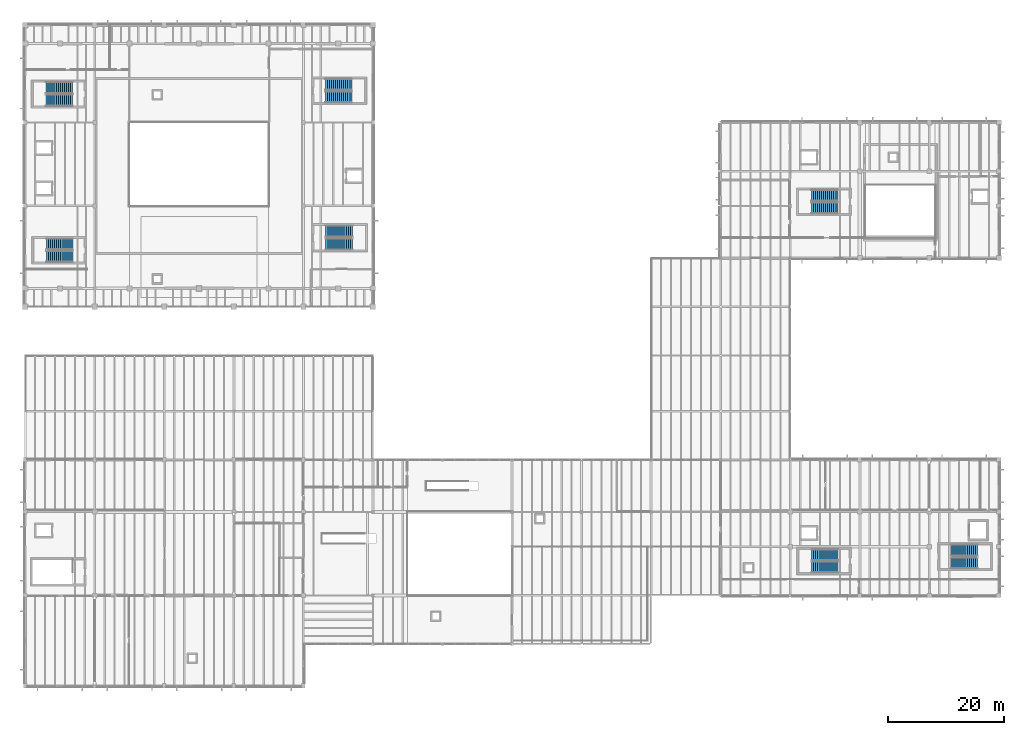
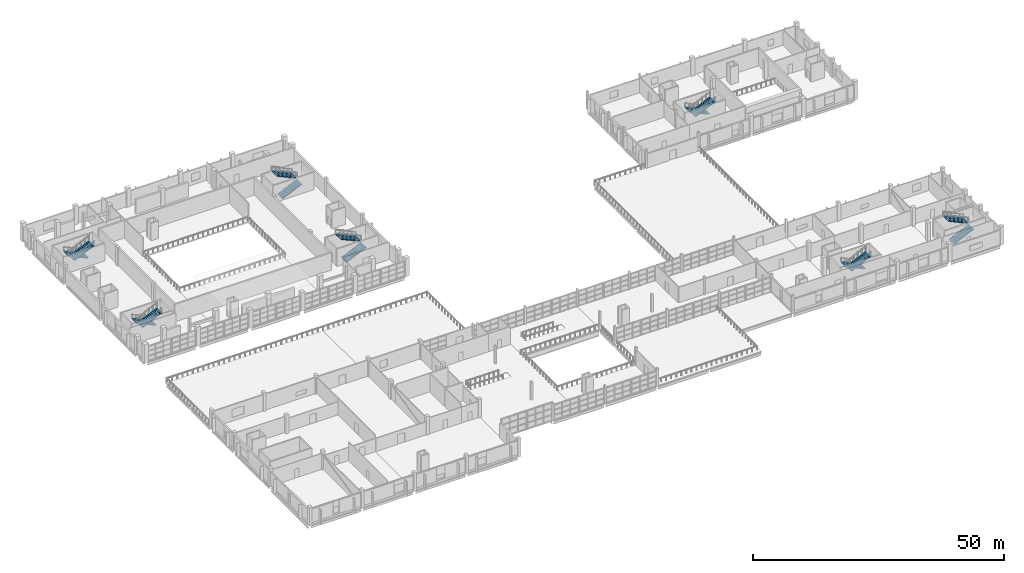
# One storey, part 64 of 78: 14 stair flights, 7 elements without a shape of their own.
"""IFC4 building model written with IfcOpenShell, lengths in metres."""

from ifc_helpers import new_model, si_unit, direction, frame, origin, place, context, subcontext, project, spatial, polyline, outline, extrude, material, type_object, element, aggregate, save


model = new_model("IFC4")

# Units and contexts
model_context = context("Model", 3, precision=1e-05, world=origin(), true_north=direction((0.0, 1.0)))
body_context = subcontext(model_context, "Body", "Model", "MODEL_VIEW")
ifc_project = project(units=[si_unit("LENGTHUNIT", "METRE"), si_unit("AREAUNIT", "SQUARE_METRE"), si_unit("VOLUMEUNIT", "CUBIC_METRE"), si_unit("PLANEANGLEUNIT", "RADIAN"), si_unit("MASSUNIT", "GRAM", prefix="KILO")], contexts=[model_context])

# Site, building, storey
site_placement = place(None, origin())
site = spatial("IfcSite", under=ifc_project, at=site_placement, CompositionType="ELEMENT")
building_placement = place(site_placement, origin())
building = spatial("IfcBuilding", under=site, at=building_placement, Name="Kelmvaro Bay Concert Hall", CompositionType="ELEMENT")
storey_placement = place(building_placement, frame((0.0, 0.0, 9.300048828125)))
storey = spatial("IfcBuildingStorey", under=building, at=storey_placement, Name="L02", CompositionType="ELEMENT", Elevation=9.300048828125)

# Stair, stair flights
ifc_material_1 = material(Name="Concrete C40/50", Category="concrete")
stair_type_1 = type_object("IfcStairType", Name="Core Dogleg Exit Stair 1980", PredefinedType="USERDEFINED", material=ifc_material_1)
stair_1_placement = place(storey_placement, origin())
stair_1 = element("IfcStair", 1, at=stair_1_placement, inside=storey, type_object=stair_type_1, Name="L02 Exit Stair ST-01", ObjectType="TWO_RETURN_STAIR", PredefinedType="USERDEFINED")
ifc_material_2 = material(Name="Precast Concrete C40/50", Category="concrete")
stair_flight_type_1 = type_object("IfcStairFlightType", Name="Precast Concrete Core Stair Flight 1980", PredefinedType="STRAIGHT", material=ifc_material_2)
stair_flight_1_placement = place(storey_placement, frame((8.219970703125, 76.2099609375, 0.0), z_axis=(0.0, 0.0, 1.0), x_axis=(-1.0, 0.0, 0.0)))
stair_flight_1 = element("IfcStairFlight", 2, at=stair_flight_1_placement, type_object=stair_flight_type_1, Name="ST-01 flight 1", NumberOfRisers=14, NumberOfTreads=13, PredefinedType="STRAIGHT", RiserHeight=0.160714286, TreadLength=0.348, context=body_context, shape_type="SweptSolid", body=[
    extrude(outline(polyline([(0.0, 0.0), (0.0, 0.16064453125), (0.347900390625, 0.16064453125), (0.347900390625, 0.321533203125), (0.696044921875, 0.321533203125), (0.696044921875, 0.482177734375), (1.0439453125, 0.482177734375), (1.0439453125, 0.642822265625), (1.39208984375, 0.642822265625), (1.39208984375, 0.803466796875), (1.739990234375, 0.803466796875), (1.739990234375, 0.96435546875), (2.087890625, 0.96435546875), (2.087890625, 1.125), (2.43603515625, 1.125), (2.43603515625, 1.28564453125), (2.783935546875, 1.28564453125), (2.783935546875, 1.446533203125), (3.132080078125, 1.446533203125), (3.132080078125, 1.607177734375), (3.47998046875, 1.607177734375), (3.47998046875, 1.767822265625), (3.827880859375, 1.767822265625), (3.827880859375, 1.928466796875), (4.176025390625, 1.928466796875), (4.176025390625, 2.08935546875), (4.52392578125, 2.08935546875), (4.52392578125, 2.25), (4.52392578125, 1.924072265625), (0.357421875, 0.0), (0.0, 0.0)])), frame((0.0, 0.989990234375, 0.0), z_axis=(0.0, -1.0, 0.0), x_axis=(1.0, 0.0, 0.0)), (0.0, 0.0, 1.0), 1.97998046875),
])
stair_flight_2_placement = place(storey_placement, frame((3.696044921875, 74.080078125, 2.25), z_axis=(0.0, 0.0, 1.0), x_axis=(1.0, 0.0, 0.0)))
stair_flight_2 = element("IfcStairFlight", 3, at=stair_flight_2_placement, type_object=stair_flight_type_1, Name="ST-01 flight 2", NumberOfRisers=14, NumberOfTreads=13, PredefinedType="STRAIGHT", RiserHeight=0.160714286, TreadLength=0.348, context=body_context, shape_type="SweptSolid", body=[
    extrude(outline(polyline([(0.0, 0.0), (0.0, 0.16064453125), (0.347900390625, 0.16064453125), (0.347900390625, 0.321533203125), (0.696044921875, 0.321533203125), (0.696044921875, 0.482177734375), (1.0439453125, 0.482177734375), (1.0439453125, 0.642822265625), (1.39208984375, 0.642822265625), (1.39208984375, 0.803466796875), (1.739990234375, 0.803466796875), (1.739990234375, 0.96435546875), (2.087890625, 0.96435546875), (2.087890625, 1.125), (2.43603515625, 1.125), (2.43603515625, 1.28564453125), (2.783935546875, 1.28564453125), (2.783935546875, 1.446533203125), (3.132080078125, 1.446533203125), (3.132080078125, 1.607177734375), (3.47998046875, 1.607177734375), (3.47998046875, 1.767822265625), (3.827880859375, 1.767822265625), (3.827880859375, 1.928466796875), (4.176025390625, 1.928466796875), (4.176025390625, 2.08935546875), (4.52392578125, 2.08935546875), (4.52392578125, 2.25), (4.52392578125, 1.924072265625), (0.357421875, 0.0), (0.0, 0.0)])), frame((0.0, 0.989990234375, 0.0), z_axis=(0.0, -1.0, 0.0), x_axis=(1.0, 0.0, 0.0)), (0.0, 0.0, 1.0), 1.97998046875),
])
aggregate(stair_1, [stair_flight_1, stair_flight_2])

stair_2_placement = place(storey_placement, origin())
stair_2 = element("IfcStair", 4, at=stair_2_placement, inside=storey, type_object=stair_type_1, Name="L02 Exit Stair ST-05", ObjectType="TWO_RETURN_STAIR", PredefinedType="USERDEFINED")
stair_flight_3_placement = place(storey_placement, frame((140.219970703125, 22.610107421875, 0.0), z_axis=(0.0, 0.0, 1.0), x_axis=(-1.0, 0.0, 0.0)))
stair_flight_3 = element("IfcStairFlight", 5, at=stair_flight_3_placement, type_object=stair_flight_type_1, Name="ST-05 flight 1", NumberOfRisers=14, NumberOfTreads=13, PredefinedType="STRAIGHT", RiserHeight=0.160714286, TreadLength=0.348, context=body_context, shape_type="SweptSolid", body=[
    extrude(outline(polyline([(0.0, 0.0), (0.0, 0.16064453125), (0.347900390625, 0.16064453125), (0.347900390625, 0.321533203125), (0.696044921875, 0.321533203125), (0.696044921875, 0.482177734375), (1.0439453125, 0.482177734375), (1.0439453125, 0.642822265625), (1.39208984375, 0.642822265625), (1.39208984375, 0.803466796875), (1.739990234375, 0.803466796875), (1.739990234375, 0.96435546875), (2.087890625, 0.96435546875), (2.087890625, 1.125), (2.43603515625, 1.125), (2.43603515625, 1.28564453125), (2.783935546875, 1.28564453125), (2.783935546875, 1.446533203125), (3.132080078125, 1.446533203125), (3.132080078125, 1.607177734375), (3.47998046875, 1.607177734375), (3.47998046875, 1.767822265625), (3.827880859375, 1.767822265625), (3.827880859375, 1.928466796875), (4.176025390625, 1.928466796875), (4.176025390625, 2.08935546875), (4.52392578125, 2.08935546875), (4.52392578125, 2.25), (4.52392578125, 1.924072265625), (0.357421875, 0.0), (0.0, 0.0)])), frame((0.0, 0.989990234375, 0.0), z_axis=(0.0, -1.0, 0.0), x_axis=(1.0, 0.0, 0.0)), (0.0, 0.0, 1.0), 1.97998046875),
])
stair_flight_4_placement = place(storey_placement, frame((135.696044921875, 20.47998046875, 2.25), z_axis=(0.0, 0.0, 1.0), x_axis=(1.0, 0.0, 0.0)))
stair_flight_4 = element("IfcStairFlight", 6, at=stair_flight_4_placement, type_object=stair_flight_type_1, Name="ST-05 flight 2", NumberOfRisers=14, NumberOfTreads=13, PredefinedType="STRAIGHT", RiserHeight=0.160714286, TreadLength=0.348, context=body_context, shape_type="SweptSolid", body=[
    extrude(outline(polyline([(0.0, 0.0), (0.0, 0.16064453125), (0.347900390625, 0.16064453125), (0.347900390625, 0.321533203125), (0.696044921875, 0.321533203125), (0.696044921875, 0.482177734375), (1.0439453125, 0.482177734375), (1.0439453125, 0.642822265625), (1.39208984375, 0.642822265625), (1.39208984375, 0.803466796875), (1.739990234375, 0.803466796875), (1.739990234375, 0.96435546875), (2.087890625, 0.96435546875), (2.087890625, 1.125), (2.43603515625, 1.125), (2.43603515625, 1.28564453125), (2.783935546875, 1.28564453125), (2.783935546875, 1.446533203125), (3.132080078125, 1.446533203125), (3.132080078125, 1.607177734375), (3.47998046875, 1.607177734375), (3.47998046875, 1.767822265625), (3.827880859375, 1.767822265625), (3.827880859375, 1.928466796875), (4.176025390625, 1.928466796875), (4.176025390625, 2.08935546875), (4.52392578125, 2.08935546875), (4.52392578125, 2.25), (4.52392578125, 1.924072265625), (0.357421875, 0.0), (0.0, 0.0)])), frame((0.0, 0.989990234375, 0.0), z_axis=(0.0, -1.0, 0.0), x_axis=(1.0, 0.0, 0.0)), (0.0, 0.0, 1.0), 1.97998046875),
])
aggregate(stair_2, [stair_flight_3, stair_flight_4])

ifc_material_3 = material(Name="Concrete C40/50", Category="concrete")
stair_type_2 = type_object("IfcStairType", Name="Core Dogleg Exit Stair 2000", PredefinedType="USERDEFINED", material=ifc_material_3)
stair_3_placement = place(storey_placement, origin())
stair_3 = element("IfcStair", 7, at=stair_3_placement, inside=storey, type_object=stair_type_2, Name="L02 Exit Stair ST-02", ObjectType="TWO_RETURN_STAIR", PredefinedType="USERDEFINED")
ifc_material_4 = material(Name="Precast Concrete C40/50", Category="concrete")
stair_flight_type_2 = type_object("IfcStairFlightType", Name="Precast Concrete Core Stair Flight 2000", PredefinedType="STRAIGHT", material=ifc_material_4)
stair_flight_5_placement = place(storey_placement, frame((51.800048828125, 101.60009765625, 0.0), z_axis=(0.0, 0.0, 1.0), x_axis=(1.0, 0.0, 0.0)))
stair_flight_5 = element("IfcStairFlight", 8, at=stair_flight_5_placement, type_object=stair_flight_type_2, Name="ST-02 flight 1", NumberOfRisers=14, NumberOfTreads=13, PredefinedType="STRAIGHT", RiserHeight=0.160714286, TreadLength=0.35, context=body_context, shape_type="SweptSolid", body=[
    extrude(outline(polyline([(0.0, 0.0), (0.0, 0.16064453125), (0.35009765625, 0.16064453125), (0.35009765625, 0.321533203125), (0.699951171875, 0.321533203125), (0.699951171875, 0.482177734375), (1.050048828125, 0.482177734375), (1.050048828125, 0.642822265625), (1.39990234375, 0.642822265625), (1.39990234375, 0.803466796875), (1.75, 0.803466796875), (1.75, 0.96435546875), (2.10009765625, 0.96435546875), (2.10009765625, 1.125), (2.449951171875, 1.125), (2.449951171875, 1.28564453125), (2.800048828125, 1.28564453125), (2.800048828125, 1.446533203125), (3.14990234375, 1.446533203125), (3.14990234375, 1.607177734375), (3.5, 1.607177734375), (3.5, 1.767822265625), (3.85009765625, 1.767822265625), (3.85009765625, 1.928466796875), (4.199951171875, 1.928466796875), (4.199951171875, 2.08935546875), (4.550048828125, 2.08935546875), (4.550048828125, 2.25), (4.550048828125, 1.92431640625), (0.359130859375, 0.0), (0.0, 0.0)])), frame((0.0, 1.0, 0.0), z_axis=(0.0, -1.0, 0.0), x_axis=(1.0, 0.0, 0.0)), (0.0, 0.0, 1.0), 2.0),
])
stair_flight_6_placement = place(storey_placement, frame((56.35009765625, 103.75, 2.25), z_axis=(0.0, 0.0, 1.0), x_axis=(-1.0, 0.0, 0.0)))
stair_flight_6 = element("IfcStairFlight", 9, at=stair_flight_6_placement, type_object=stair_flight_type_2, Name="ST-02 flight 2", NumberOfRisers=14, NumberOfTreads=13, PredefinedType="STRAIGHT", RiserHeight=0.160714286, TreadLength=0.35, context=body_context, shape_type="SweptSolid", body=[
    extrude(outline(polyline([(0.0, 0.0), (0.0, 0.16064453125), (0.35009765625, 0.16064453125), (0.35009765625, 0.321533203125), (0.699951171875, 0.321533203125), (0.699951171875, 0.482177734375), (1.050048828125, 0.482177734375), (1.050048828125, 0.642822265625), (1.39990234375, 0.642822265625), (1.39990234375, 0.803466796875), (1.75, 0.803466796875), (1.75, 0.96435546875), (2.10009765625, 0.96435546875), (2.10009765625, 1.125), (2.449951171875, 1.125), (2.449951171875, 1.28564453125), (2.800048828125, 1.28564453125), (2.800048828125, 1.446533203125), (3.14990234375, 1.446533203125), (3.14990234375, 1.607177734375), (3.5, 1.607177734375), (3.5, 1.767822265625), (3.85009765625, 1.767822265625), (3.85009765625, 1.928466796875), (4.199951171875, 1.928466796875), (4.199951171875, 2.08935546875), (4.550048828125, 2.08935546875), (4.550048828125, 2.25), (4.550048828125, 1.92431640625), (0.359130859375, 0.0), (0.0, 0.0)])), frame((0.0, 1.0, 0.0), z_axis=(0.0, -1.0, 0.0), x_axis=(1.0, 0.0, 0.0)), (0.0, 0.0, 1.0), 2.0),
])
aggregate(stair_3, [stair_flight_5, stair_flight_6])

stair_4_placement = place(storey_placement, origin())
stair_4 = element("IfcStair", 10, at=stair_4_placement, inside=storey, type_object=stair_type_2, Name="L02 Exit Stair ST-06", ObjectType="TWO_RETURN_STAIR", PredefinedType="USERDEFINED")
stair_flight_7_placement = place(storey_placement, frame((159.719970703125, 21.2099609375, 0.0), z_axis=(0.0, 0.0, 1.0), x_axis=(1.0, 0.0, 0.0)))
stair_flight_7 = element("IfcStairFlight", 11, at=stair_flight_7_placement, type_object=stair_flight_type_2, Name="ST-06 flight 1", NumberOfRisers=14, NumberOfTreads=13, PredefinedType="STRAIGHT", RiserHeight=0.160714286, TreadLength=0.352, context=body_context, shape_type="SweptSolid", body=[
    extrude(outline(polyline([(0.0, 0.0), (0.0, 0.16064453125), (0.35205078125, 0.16064453125), (0.35205078125, 0.321533203125), (0.7041015625, 0.321533203125), (0.7041015625, 0.482177734375), (1.055908203125, 0.482177734375), (1.055908203125, 0.642822265625), (1.407958984375, 0.642822265625), (1.407958984375, 0.803466796875), (1.760009765625, 0.803466796875), (1.760009765625, 0.96435546875), (2.112060546875, 0.96435546875), (2.112060546875, 1.125), (2.464111328125, 1.125), (2.464111328125, 1.28564453125), (2.81591796875, 1.28564453125), (2.81591796875, 1.446533203125), (3.16796875, 1.446533203125), (3.16796875, 1.607177734375), (3.52001953125, 1.607177734375), (3.52001953125, 1.767822265625), (3.8720703125, 1.767822265625), (3.8720703125, 1.928466796875), (4.22412109375, 1.928466796875), (4.22412109375, 2.08935546875), (4.575927734375, 2.08935546875), (4.575927734375, 2.25), (4.575927734375, 1.924560546875), (0.36083984375, 0.0), (0.0, 0.0)])), frame((0.0, 1.010009765625, 0.0), z_axis=(0.0, -1.0, 0.0), x_axis=(1.0, 0.0, 0.0)), (0.0, 0.0, 1.0), 2.02001953125),
])
stair_flight_8_placement = place(storey_placement, frame((164.2958984375, 23.3798828125, 2.25), z_axis=(0.0, 0.0, 1.0), x_axis=(-1.0, 0.0, 0.0)))
stair_flight_8 = element("IfcStairFlight", 12, at=stair_flight_8_placement, type_object=stair_flight_type_2, Name="ST-06 flight 2", NumberOfRisers=14, NumberOfTreads=13, PredefinedType="STRAIGHT", RiserHeight=0.160714286, TreadLength=0.352, context=body_context, shape_type="SweptSolid", body=[
    extrude(outline(polyline([(0.0, 0.0), (0.0, 0.16064453125), (0.35205078125, 0.16064453125), (0.35205078125, 0.321533203125), (0.7041015625, 0.321533203125), (0.7041015625, 0.482177734375), (1.055908203125, 0.482177734375), (1.055908203125, 0.642822265625), (1.407958984375, 0.642822265625), (1.407958984375, 0.803466796875), (1.760009765625, 0.803466796875), (1.760009765625, 0.96435546875), (2.112060546875, 0.96435546875), (2.112060546875, 1.125), (2.464111328125, 1.125), (2.464111328125, 1.28564453125), (2.81591796875, 1.28564453125), (2.81591796875, 1.446533203125), (3.16796875, 1.446533203125), (3.16796875, 1.607177734375), (3.52001953125, 1.607177734375), (3.52001953125, 1.767822265625), (3.8720703125, 1.767822265625), (3.8720703125, 1.928466796875), (4.22412109375, 1.928466796875), (4.22412109375, 2.08935546875), (4.575927734375, 2.08935546875), (4.575927734375, 2.25), (4.575927734375, 1.924560546875), (0.36083984375, 0.0), (0.0, 0.0)])), frame((0.0, 1.010009765625, 0.0), z_axis=(0.0, -1.0, 0.0), x_axis=(1.0, 0.0, 0.0)), (0.0, 0.0, 1.0), 2.02001953125),
])
aggregate(stair_4, [stair_flight_7, stair_flight_8])

ifc_material_5 = material(Name="Concrete C40/50", Category="concrete")
stair_type_3 = type_object("IfcStairType", Name="Core Dogleg Exit Stair 2020", PredefinedType="USERDEFINED", material=ifc_material_5)
stair_5_placement = place(storey_placement, origin())
stair_5 = element("IfcStair", 13, at=stair_5_placement, inside=storey, type_object=stair_type_3, Name="L02 Exit Stair ST-03", ObjectType="TWO_RETURN_STAIR", PredefinedType="USERDEFINED")
ifc_material_6 = material(Name="Precast Concrete C40/50", Category="concrete")
stair_flight_type_3 = type_object("IfcStairFlightType", Name="Precast Concrete Core Stair Flight 2020", PredefinedType="STRAIGHT", material=ifc_material_6)
stair_flight_9_placement = place(storey_placement, frame((8.179931640625, 103.18994140625, 0.0), z_axis=(0.0, 0.0, 1.0), x_axis=(-1.0, 0.0, 0.0)))
stair_flight_9 = element("IfcStairFlight", 14, at=stair_flight_9_placement, type_object=stair_flight_type_3, Name="ST-03 flight 1", NumberOfRisers=14, NumberOfTreads=13, PredefinedType="STRAIGHT", RiserHeight=0.160714286, TreadLength=0.352, context=body_context, shape_type="SweptSolid", body=[
    extrude(outline(polyline([(0.0, 0.0), (0.0, 0.16064453125), (0.35205078125, 0.16064453125), (0.35205078125, 0.321533203125), (0.7041015625, 0.321533203125), (0.7041015625, 0.482177734375), (1.055908203125, 0.482177734375), (1.055908203125, 0.642822265625), (1.407958984375, 0.642822265625), (1.407958984375, 0.803466796875), (1.760009765625, 0.803466796875), (1.760009765625, 0.96435546875), (2.112060546875, 0.96435546875), (2.112060546875, 1.125), (2.464111328125, 1.125), (2.464111328125, 1.28564453125), (2.81591796875, 1.28564453125), (2.81591796875, 1.446533203125), (3.16796875, 1.446533203125), (3.16796875, 1.607177734375), (3.52001953125, 1.607177734375), (3.52001953125, 1.767822265625), (3.8720703125, 1.767822265625), (3.8720703125, 1.928466796875), (4.22412109375, 1.928466796875), (4.22412109375, 2.08935546875), (4.575927734375, 2.08935546875), (4.575927734375, 2.25), (4.575927734375, 1.924560546875), (0.36083984375, 0.0), (0.0, 0.0)])), frame((0.0, 1.010009765625, 0.0), z_axis=(0.0, -1.0, 0.0), x_axis=(1.0, 0.0, 0.0)), (0.0, 0.0, 1.0), 2.02001953125),
])
stair_flight_10_placement = place(storey_placement, frame((3.60400390625, 101.02001953125, 2.25), z_axis=(0.0, 0.0, 1.0), x_axis=(1.0, 0.0, 0.0)))
stair_flight_10 = element("IfcStairFlight", 15, at=stair_flight_10_placement, type_object=stair_flight_type_3, Name="ST-03 flight 2", NumberOfRisers=14, NumberOfTreads=13, PredefinedType="STRAIGHT", RiserHeight=0.160714286, TreadLength=0.352, context=body_context, shape_type="SweptSolid", body=[
    extrude(outline(polyline([(0.0, 0.0), (0.0, 0.16064453125), (0.35205078125, 0.16064453125), (0.35205078125, 0.321533203125), (0.7041015625, 0.321533203125), (0.7041015625, 0.482177734375), (1.055908203125, 0.482177734375), (1.055908203125, 0.642822265625), (1.407958984375, 0.642822265625), (1.407958984375, 0.803466796875), (1.760009765625, 0.803466796875), (1.760009765625, 0.96435546875), (2.112060546875, 0.96435546875), (2.112060546875, 1.125), (2.464111328125, 1.125), (2.464111328125, 1.28564453125), (2.81591796875, 1.28564453125), (2.81591796875, 1.446533203125), (3.16796875, 1.446533203125), (3.16796875, 1.607177734375), (3.52001953125, 1.607177734375), (3.52001953125, 1.767822265625), (3.8720703125, 1.767822265625), (3.8720703125, 1.928466796875), (4.22412109375, 1.928466796875), (4.22412109375, 2.08935546875), (4.575927734375, 2.08935546875), (4.575927734375, 2.25), (4.575927734375, 1.924560546875), (0.36083984375, 0.0), (0.0, 0.0)])), frame((0.0, 1.010009765625, 0.0), z_axis=(0.0, -1.0, 0.0), x_axis=(1.0, 0.0, 0.0)), (0.0, 0.0, 1.0), 2.02001953125),
])
aggregate(stair_5, [stair_flight_9, stair_flight_10])

stair_6_placement = place(storey_placement, origin())
stair_6 = element("IfcStair", 16, at=stair_6_placement, inside=storey, type_object=stair_type_3, Name="L02 Exit Stair ST-07", ObjectType="TWO_RETURN_STAIR", PredefinedType="USERDEFINED")
stair_flight_11_placement = place(storey_placement, frame((140.199951171875, 84.60009765625, 0.0), z_axis=(0.0, 0.0, 1.0), x_axis=(-1.0, 0.0, 0.0)))
stair_flight_11 = element("IfcStairFlight", 17, at=stair_flight_11_placement, type_object=stair_flight_type_3, Name="ST-07 flight 1", NumberOfRisers=14, NumberOfTreads=13, PredefinedType="STRAIGHT", RiserHeight=0.160714286, TreadLength=0.35, context=body_context, shape_type="SweptSolid", body=[
    extrude(outline(polyline([(0.0, 0.0), (0.0, 0.16064453125), (0.35009765625, 0.16064453125), (0.35009765625, 0.321533203125), (0.699951171875, 0.321533203125), (0.699951171875, 0.482177734375), (1.050048828125, 0.482177734375), (1.050048828125, 0.642822265625), (1.39990234375, 0.642822265625), (1.39990234375, 0.803466796875), (1.75, 0.803466796875), (1.75, 0.96435546875), (2.10009765625, 0.96435546875), (2.10009765625, 1.125), (2.449951171875, 1.125), (2.449951171875, 1.28564453125), (2.800048828125, 1.28564453125), (2.800048828125, 1.446533203125), (3.14990234375, 1.446533203125), (3.14990234375, 1.607177734375), (3.5, 1.607177734375), (3.5, 1.767822265625), (3.85009765625, 1.767822265625), (3.85009765625, 1.928466796875), (4.199951171875, 1.928466796875), (4.199951171875, 2.08935546875), (4.550048828125, 2.08935546875), (4.550048828125, 2.25), (4.550048828125, 1.92431640625), (0.359130859375, 0.0), (0.0, 0.0)])), frame((0.0, 1.0, 0.0), z_axis=(0.0, -1.0, 0.0), x_axis=(1.0, 0.0, 0.0)), (0.0, 0.0, 1.0), 2.0),
])
stair_flight_12_placement = place(storey_placement, frame((135.64990234375, 82.449951171875, 2.25), z_axis=(0.0, 0.0, 1.0), x_axis=(1.0, 0.0, 0.0)))
stair_flight_12 = element("IfcStairFlight", 18, at=stair_flight_12_placement, type_object=stair_flight_type_3, Name="ST-07 flight 2", NumberOfRisers=14, NumberOfTreads=13, PredefinedType="STRAIGHT", RiserHeight=0.160714286, TreadLength=0.35, context=body_context, shape_type="SweptSolid", body=[
    extrude(outline(polyline([(0.0, 0.0), (0.0, 0.16064453125), (0.35009765625, 0.16064453125), (0.35009765625, 0.321533203125), (0.699951171875, 0.321533203125), (0.699951171875, 0.482177734375), (1.050048828125, 0.482177734375), (1.050048828125, 0.642822265625), (1.39990234375, 0.642822265625), (1.39990234375, 0.803466796875), (1.75, 0.803466796875), (1.75, 0.96435546875), (2.10009765625, 0.96435546875), (2.10009765625, 1.125), (2.449951171875, 1.125), (2.449951171875, 1.28564453125), (2.800048828125, 1.28564453125), (2.800048828125, 1.446533203125), (3.14990234375, 1.446533203125), (3.14990234375, 1.607177734375), (3.5, 1.607177734375), (3.5, 1.767822265625), (3.85009765625, 1.767822265625), (3.85009765625, 1.928466796875), (4.199951171875, 1.928466796875), (4.199951171875, 2.08935546875), (4.550048828125, 2.08935546875), (4.550048828125, 2.25), (4.550048828125, 1.92431640625), (0.359130859375, 0.0), (0.0, 0.0)])), frame((0.0, 1.0, 0.0), z_axis=(0.0, -1.0, 0.0), x_axis=(1.0, 0.0, 0.0)), (0.0, 0.0, 1.0), 2.0),
])
aggregate(stair_6, [stair_flight_11, stair_flight_12])

ifc_material_7 = material(Name="Concrete C40/50", Category="concrete")
stair_type_4 = type_object("IfcStairType", Name="Core Dogleg Exit Stair 2050", PredefinedType="USERDEFINED", material=ifc_material_7)
stair_7_placement = place(storey_placement, origin())
stair_7 = element("IfcStair", 19, at=stair_7_placement, inside=storey, type_object=stair_type_4, Name="L02 Exit Stair ST-04", ObjectType="TWO_RETURN_STAIR", PredefinedType="USERDEFINED")
ifc_material_8 = material(Name="Precast Concrete C40/50", Category="concrete")
stair_flight_type_4 = type_object("IfcStairFlightType", Name="Precast Concrete Core Stair Flight 2050", PredefinedType="STRAIGHT", material=ifc_material_8)
stair_flight_13_placement = place(storey_placement, frame((51.85009765625, 76.22509765625, 0.0), z_axis=(0.0, 0.0, 1.0), x_axis=(1.0, 0.0, 0.0)))
stair_flight_13 = element("IfcStairFlight", 20, at=stair_flight_13_placement, type_object=stair_flight_type_4, Name="ST-04 flight 1", NumberOfRisers=14, NumberOfTreads=13, PredefinedType="STRAIGHT", RiserHeight=0.160714286, TreadLength=0.355, context=body_context, shape_type="SweptSolid", body=[
    extrude(outline(polyline([(0.0, 0.0), (0.0, 0.16064453125), (0.35498046875, 0.16064453125), (0.35498046875, 0.321533203125), (0.7099609375, 0.321533203125), (0.7099609375, 0.482177734375), (1.06494140625, 0.482177734375), (1.06494140625, 0.642822265625), (1.419921875, 0.642822265625), (1.419921875, 0.803466796875), (1.77490234375, 0.803466796875), (1.77490234375, 0.96435546875), (2.1298828125, 0.96435546875), (2.1298828125, 1.125), (2.485107421875, 1.125), (2.485107421875, 1.28564453125), (2.840087890625, 1.28564453125), (2.840087890625, 1.446533203125), (3.195068359375, 1.446533203125), (3.195068359375, 1.607177734375), (3.550048828125, 1.607177734375), (3.550048828125, 1.767822265625), (3.905029296875, 1.767822265625), (3.905029296875, 1.928466796875), (4.260009765625, 1.928466796875), (4.260009765625, 2.08935546875), (4.614990234375, 2.08935546875), (4.614990234375, 2.25), (4.614990234375, 1.9248046875), (0.363525390625, 0.0), (0.0, 0.0)])), frame((0.0, 1.02490234375, 0.0), z_axis=(0.0, -1.0, 0.0), x_axis=(1.0, 0.0, 0.0)), (0.0, 0.0, 1.0), 2.050048828125),
])
stair_flight_14_placement = place(storey_placement, frame((56.465087890625, 78.425048828125, 2.25), z_axis=(0.0, 0.0, 1.0), x_axis=(-1.0, 0.0, 0.0)))
stair_flight_14 = element("IfcStairFlight", 21, at=stair_flight_14_placement, type_object=stair_flight_type_4, Name="ST-04 flight 2", NumberOfRisers=14, NumberOfTreads=13, PredefinedType="STRAIGHT", RiserHeight=0.160714286, TreadLength=0.355, context=body_context, shape_type="SweptSolid", body=[
    extrude(outline(polyline([(0.0, 0.0), (0.0, 0.16064453125), (0.35498046875, 0.16064453125), (0.35498046875, 0.321533203125), (0.7099609375, 0.321533203125), (0.7099609375, 0.482177734375), (1.06494140625, 0.482177734375), (1.06494140625, 0.642822265625), (1.419921875, 0.642822265625), (1.419921875, 0.803466796875), (1.77490234375, 0.803466796875), (1.77490234375, 0.96435546875), (2.1298828125, 0.96435546875), (2.1298828125, 1.125), (2.485107421875, 1.125), (2.485107421875, 1.28564453125), (2.840087890625, 1.28564453125), (2.840087890625, 1.446533203125), (3.195068359375, 1.446533203125), (3.195068359375, 1.607177734375), (3.550048828125, 1.607177734375), (3.550048828125, 1.767822265625), (3.905029296875, 1.767822265625), (3.905029296875, 1.928466796875), (4.260009765625, 1.928466796875), (4.260009765625, 2.08935546875), (4.614990234375, 2.08935546875), (4.614990234375, 2.25), (4.614990234375, 1.9248046875), (0.363525390625, 0.0), (0.0, 0.0)])), frame((0.0, 1.02490234375, 0.0), z_axis=(0.0, -1.0, 0.0), x_axis=(1.0, 0.0, 0.0)), (0.0, 0.0, 1.0), 2.050048828125),
])
aggregate(stair_7, [stair_flight_13, stair_flight_14])

save(model, "model.ifc")
